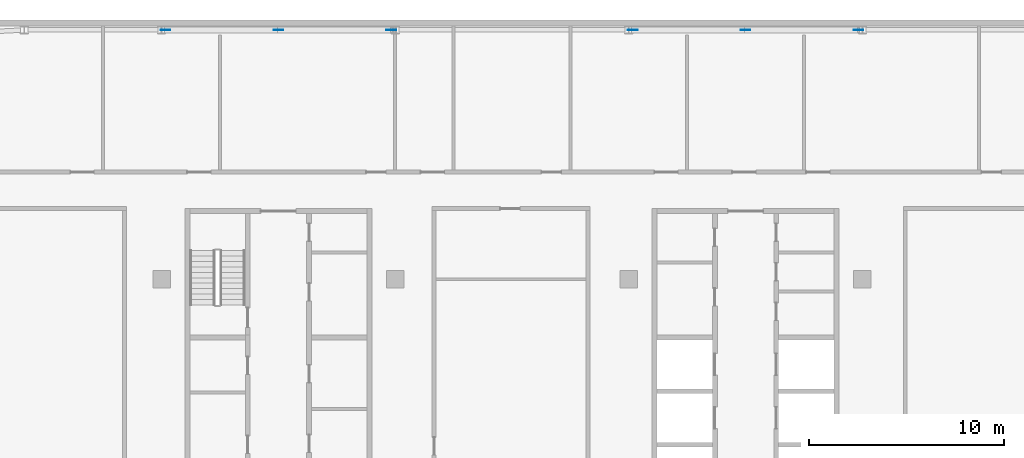
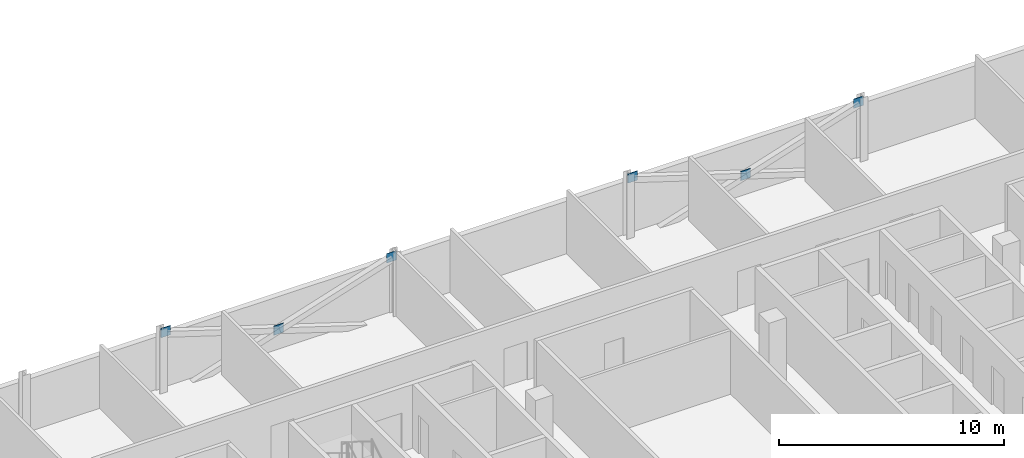
# One storey, part 19 of 25: 6 discrete accessories.
"""IFC4 building model written with IfcOpenShell, lengths in metres."""

from ifc_helpers import new_model, si_unit, direction, frame, origin, origin_2d, place, context, subcontext, project, spatial, rectangle, extrude, material, layer, layer_set, type_object, element, save


model = new_model("IFC4")

# Units and contexts
model_context = context("Model", 3, precision=1e-05, world=origin(), true_north=direction((0.0, 1.0)))
body_context = subcontext(model_context, "Body", "Model", "MODEL_VIEW")
ifc_project = project(units=[si_unit("LENGTHUNIT", "METRE"), si_unit("AREAUNIT", "SQUARE_METRE"), si_unit("VOLUMEUNIT", "CUBIC_METRE"), si_unit("PLANEANGLEUNIT", "RADIAN"), si_unit("MASSUNIT", "GRAM", prefix="KILO")], contexts=[model_context])

# Site, building, storey
site_placement = place(None, origin())
site = spatial("IfcSite", under=ifc_project, at=site_placement, CompositionType="ELEMENT")
building_placement = place(site_placement, origin())
building = spatial("IfcBuilding", under=site, at=building_placement, Name="Mahtab Terrace Research Tower", CompositionType="ELEMENT")
storey_placement = place(building_placement, frame((0.0, 0.0, 278.5)))
storey = spatial("IfcBuildingStorey", under=building, at=storey_placement, Name="L68", CompositionType="ELEMENT", Elevation=278.5)

# Discrete accessories
ifc_material = material(Name="Steel ASTM A992 Gr 50", Category="steel")
ifc_layer = layer(ifc_material, 0.030029296875)
ifc_layer_set = layer_set([ifc_layer], Name="Gusset plate 500x500x30")
discrete_accessory_type = type_object("IfcDiscreteAccessoryType", Name="Gusset plate 500x500x30", PredefinedType="USERDEFINED", material=ifc_layer_set)
for number, where, z_axis, x_axis, name in (
    (1, (-29.802978515625, 24.306884765625, 2.906494140625), (0.0, 0.0, 1.0), (1.0, 0.0, 0.0), "Gusset plate"),
    (2, (-24.0, 24.306884765625, 1.006591796875), (0.0, 0.0, 1.0), (1.0, 0.0, 0.0), "Gusset plate"),
    (3, (-18.197021484375, 24.306884765625, 2.906494140625), (0.0, 0.0, 1.0), (1.0, 0.0, 0.0), "Gusset plate"),
    (4, (-5.802978515625, 24.306884765625, 2.906494140625), (0.0, 0.0, 1.0), (1.0, 0.0, 0.0), "Gusset plate"),
    (5, (0.0, 24.306884765625, 1.006591796875), (0.0, 0.0, 1.0), (1.0, 0.0, 0.0), "Gusset plate"),
    (6, (5.802978515625, 24.306884765625, 2.906494140625), (0.0, 0.0, 1.0), (1.0, 0.0, 0.0), "Gusset plate"),
):
    element("IfcDiscreteAccessory", number, at=place(storey_placement, frame(where, z_axis=z_axis, x_axis=x_axis)), inside=storey, type_object=discrete_accessory_type, Name=name, ObjectType="GUSSET PLATE", PredefinedType="USERDEFINED", context=body_context, shape_type="SweptSolid", body=[
        extrude(rectangle(XDim=0.5, YDim=0.030029296875, at=origin_2d()), origin(), (0.0, 0.0, 1.0), 0.5),
    ])

save(model, "model.ifc")
